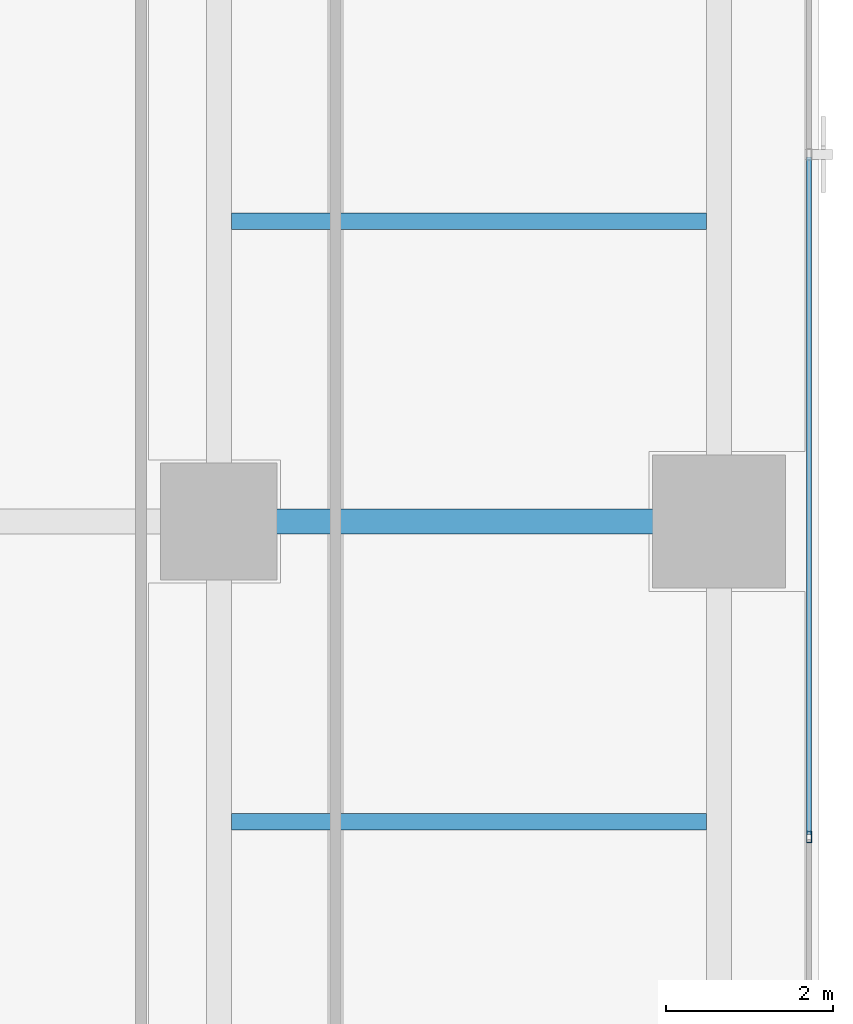
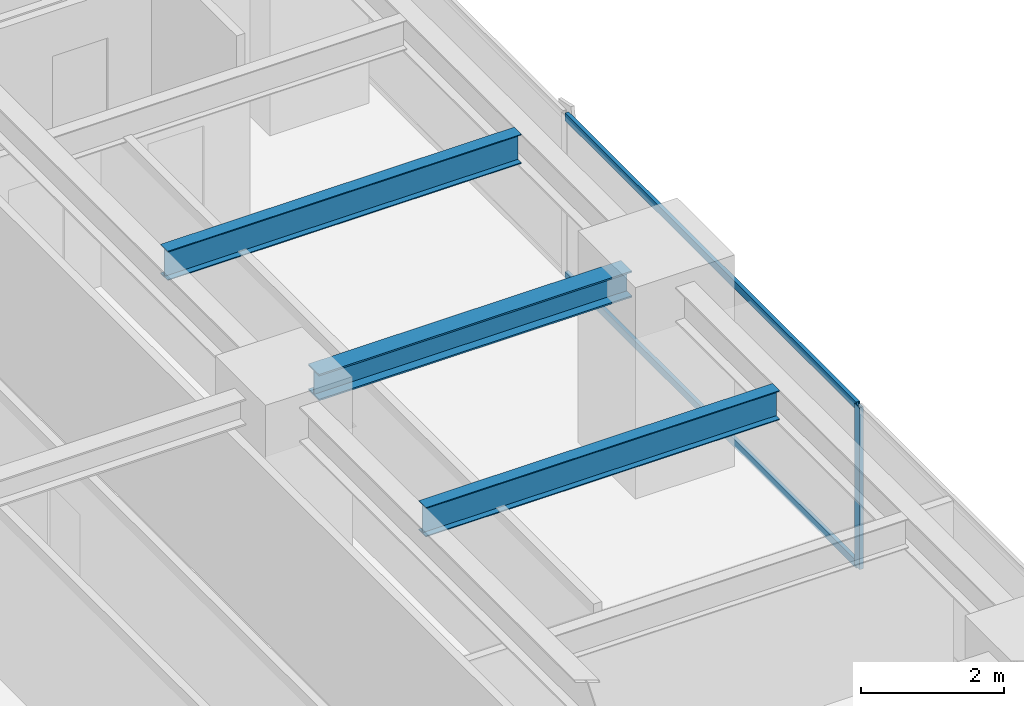
# One storey, part 15 of 29: 3 beams, 3 members, 1 element without a shape of its own.
"""IFC4 building model written with IfcOpenShell, lengths in metres."""

from ifc_helpers import new_model, si_unit, direction, frame, origin, origin_2d, place, context, subcontext, project, spatial, hollow_rectangle, i_section, extrude, source, transform, mapped, material, layer, layer_set, material_profile, profile_set, type_object, element, aggregate, save


model = new_model("IFC4")

# Units and contexts
model_context = context("Model", 3, precision=1e-05, world=origin(), true_north=direction((0.0, 1.0)))
body_context = subcontext(model_context, "Body", "Model", "MODEL_VIEW")
ifc_project = project(units=[si_unit("LENGTHUNIT", "METRE"), si_unit("AREAUNIT", "SQUARE_METRE"), si_unit("VOLUMEUNIT", "CUBIC_METRE"), si_unit("PLANEANGLEUNIT", "RADIAN"), si_unit("MASSUNIT", "GRAM", prefix="KILO")], contexts=[model_context])

# Site, building, storey
site_placement = place(None, origin())
site = spatial("IfcSite", under=ifc_project, at=site_placement, CompositionType="ELEMENT")
building_placement = place(site_placement, origin())
building = spatial("IfcBuilding", under=site, at=building_placement, Name="Sumidabori Civic Tower", CompositionType="ELEMENT")
storey_placement = place(building_placement, frame((0.0, 0.0, 203.60009765625)))
storey = spatial("IfcBuildingStorey", under=building, at=storey_placement, Name="L52", CompositionType="ELEMENT", Elevation=203.60009765625)

# Beams
ifc_material_1 = material(Name="Steel SN490", Category="steel")
ifc_material_profile_1 = material_profile(ifc_material_1, i_section(OverallWidth=0.199951171875, OverallDepth=0.5, WebThickness=0.01025390625, FlangeThickness=0.01611328125, at=origin_2d()), Name="IPE 500")
ifc_profile_set_1 = profile_set([ifc_material_profile_1], Name="Steel SN490")
beam_type_1 = type_object("IfcBeamType", Name="BM-JST-500", PredefinedType="JOIST", material=ifc_profile_set_1)
shared_shape_1 = source(origin(), body_context, "Body", "SweptSolid", [
    extrude(i_section(OverallWidth=0.199951171875, OverallDepth=0.5, WebThickness=0.01025390625, FlangeThickness=0.01611328125, at=origin_2d()), origin(), (0.0, 0.0, 1.0), 5.699951171875),
])
for number, where, z_axis, x_axis, name in (
    (1, (16.949951171875, -3.60009765625, 3.1298828125), (1.0, 0.0, 0.0), (0.0, 1.0, 0.0), "Outer Bay Floor Joist L52 JSTO-28"),
    (2, (16.949951171875, 3.60009765625, 3.1298828125), (1.0, 0.0, 0.0), (0.0, 1.0, 0.0), "Outer Bay Floor Joist L52 JSTO-30"),
):
    element("IfcBeam", number, at=place(storey_placement, frame(where, z_axis=z_axis, x_axis=x_axis)), inside=storey, type_object=beam_type_1, Name=name, PredefinedType="JOIST", context=body_context, shape_type="MappedRepresentation", body=[
        mapped(shared_shape_1, transform((0.0, 0.0, 0.0), x_axis=(1.0, 0.0, 0.0), y_axis=(0.0, 1.0, 0.0), z_axis=(0.0, 0.0, 1.0), scale=1.0)),
    ])
ifc_material_profile_2 = material_profile(ifc_material_1, i_section(OverallWidth=0.300048828125, OverallDepth=0.449951171875, WebThickness=0.013916015625, FlangeThickness=0.02587890625, at=origin_2d()), Name="HE 450 B")
ifc_profile_set_2 = profile_set([ifc_material_profile_2], Name="Steel SN490")
beam_type_2 = type_object("IfcBeamType", Name="BM-GIRD-450", PredefinedType="BEAM", material=ifc_profile_set_2)
shared_shape_2 = source(origin(), body_context, "Body", "SweptSolid", [
    extrude(i_section(OverallWidth=0.300048828125, OverallDepth=0.449951171875, WebThickness=0.013916015625, FlangeThickness=0.02587890625, at=origin_2d()), origin(), (0.0, 0.0, 1.0), 5.0400390625),
])
beam_placement = place(storey_placement, frame((17.280029296875, 0.0, 3.15478515625), z_axis=(1.0, 0.0, 0.0), x_axis=(0.0, 1.0, 0.0)))
element("IfcBeam", 3, at=beam_placement, inside=storey, type_object=beam_type_2, Name="Primary Girder L52 GX-08", PredefinedType="BEAM", context=body_context, shape_type="MappedRepresentation", body=[
    mapped(shared_shape_2, transform((0.0, 0.0, 0.0), x_axis=(1.0, 0.0, 0.0), y_axis=(0.0, 1.0, 0.0), z_axis=(0.0, 0.0, 1.0), scale=1.0)),
])

# Curtain wall, members
ifc_material_2 = material(Name="Anodised Bronze Aluminium AW-6063-T6", Category="aluminium")
ifc_layer = layer(ifc_material_2, 0.179931640625, Name="Anodised Bronze Aluminium AW-6063-T6")
ifc_layer_set = layer_set([ifc_layer], Name="Anodised Bronze Aluminium AW-6063-T6")
curtain_wall_type = type_object("IfcCurtainWallType", Name="CW-SYS-5", PredefinedType="NOTDEFINED", material=ifc_layer_set)
curtain_wall_placement = place(storey_placement, origin())
curtain_wall = element("IfcCurtainWall", 4, at=curtain_wall_placement, inside=storey, type_object=curtain_wall_type, Name="Curtain Wall CW:L52:R10", PredefinedType="NOTDEFINED")
ifc_material_profile_3 = material_profile(ifc_material_2, hollow_rectangle(XDim=0.06005859375, YDim=0.139892578125, WallThickness=0.0048828125, at=origin_2d()), Name="ALU MULLION 140x60")
ifc_profile_set_3 = profile_set([ifc_material_profile_3], Name="Anodised Bronze Aluminium AW-6063-T6")
member_type_1 = type_object("IfcMemberType", Name="CW-MUL-140", PredefinedType="MULLION", material=ifc_profile_set_3)
shared_shape_3 = source(origin(), body_context, "Body", "SweptSolid", [
    extrude(hollow_rectangle(XDim=0.06005859375, YDim=0.139892578125, WallThickness=0.0048828125, at=origin_2d()), origin(), (0.0, 0.0, 1.0), 2.760009765625),
])
member_1_placement = place(storey_placement, frame((23.8798828125, -3.784912109375, 0.0), z_axis=(0.0, 0.0, 1.0), x_axis=(-1.0, 0.0, 0.0)))
member_1 = element("IfcMember", 5, at=member_1_placement, type_object=member_type_1, Name="CW-5 mullion 2", PredefinedType="MULLION", context=body_context, shape_type="MappedRepresentation", body=[
    mapped(shared_shape_3, transform((0.0, 0.0, 0.0), x_axis=(1.0, 0.0, 0.0), y_axis=(0.0, 1.0, 0.0), z_axis=(0.0, 0.0, 1.0), scale=1.0)),
])
ifc_material_profile_4 = material_profile(ifc_material_2, hollow_rectangle(XDim=0.06005859375, YDim=0.1298828125, WallThickness=0.0048828125, at=origin_2d()), Name="ALU TRANSOM 130x60")
ifc_profile_set_4 = profile_set([ifc_material_profile_4], Name="Anodised Bronze Aluminium AW-6063-T6")
member_type_2 = type_object("IfcMemberType", Name="CW-TRN-130", PredefinedType="USERDEFINED", material=ifc_profile_set_4)
shared_shape_4 = source(origin(), body_context, "Body", "SweptSolid", [
    extrude(hollow_rectangle(XDim=0.06005859375, YDim=0.1298828125, WallThickness=0.0048828125, at=origin_2d()), origin(), (0.0, 0.0, 1.0), 8.125),
])
member_2_placement = place(storey_placement, frame((23.8798828125, -3.7548828125, 0.02978515625), z_axis=(0.0, 1.0, 0.0), x_axis=(-1.0, 0.0, 0.0)))
member_2 = element("IfcMember", 6, at=member_2_placement, type_object=member_type_2, Name="CW-5 transom 2.1", ObjectType="TRANSOM", PredefinedType="USERDEFINED", context=body_context, shape_type="MappedRepresentation", body=[
    mapped(shared_shape_4, transform((0.0, 0.0, 0.0), x_axis=(1.0, 0.0, 0.0), y_axis=(0.0, 1.0, 0.0), z_axis=(0.0, 0.0, 1.0), scale=1.0)),
])
member_3_placement = place(storey_placement, frame((23.8798828125, -3.7548828125, 2.72998046875), z_axis=(0.0, 1.0, 0.0), x_axis=(-1.0, 0.0, 0.0)))
member_3 = element("IfcMember", 7, at=member_3_placement, type_object=member_type_2, Name="CW-5 transom 2.2", ObjectType="TRANSOM", PredefinedType="USERDEFINED", context=body_context, shape_type="MappedRepresentation", body=[
    mapped(shared_shape_4, transform((0.0, 0.0, 0.0), x_axis=(1.0, 0.0, 0.0), y_axis=(0.0, 1.0, 0.0), z_axis=(0.0, 0.0, 1.0), scale=1.0)),
])
aggregate(curtain_wall, [member_1, member_2, member_3])

save(model, "model.ifc")
